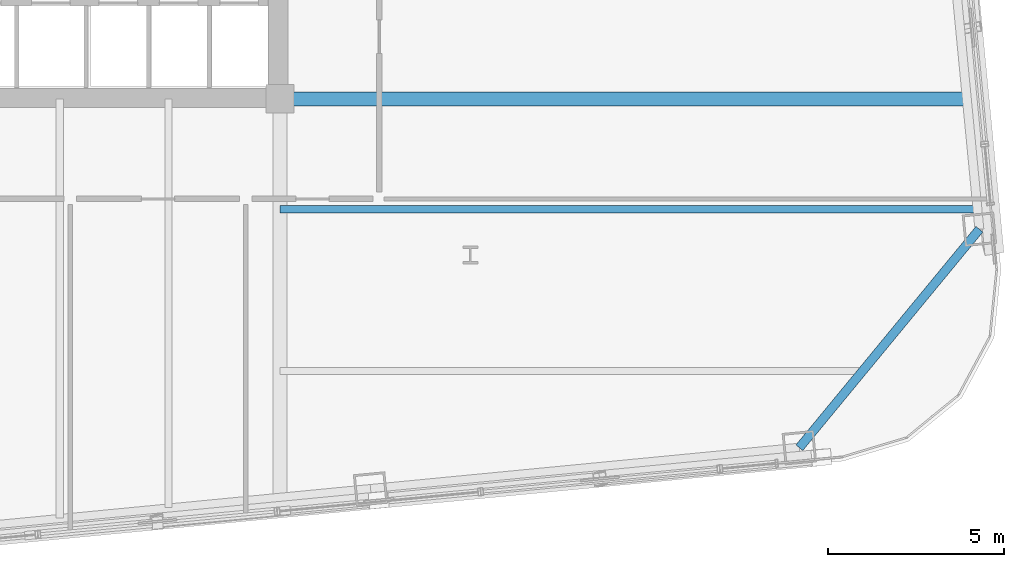
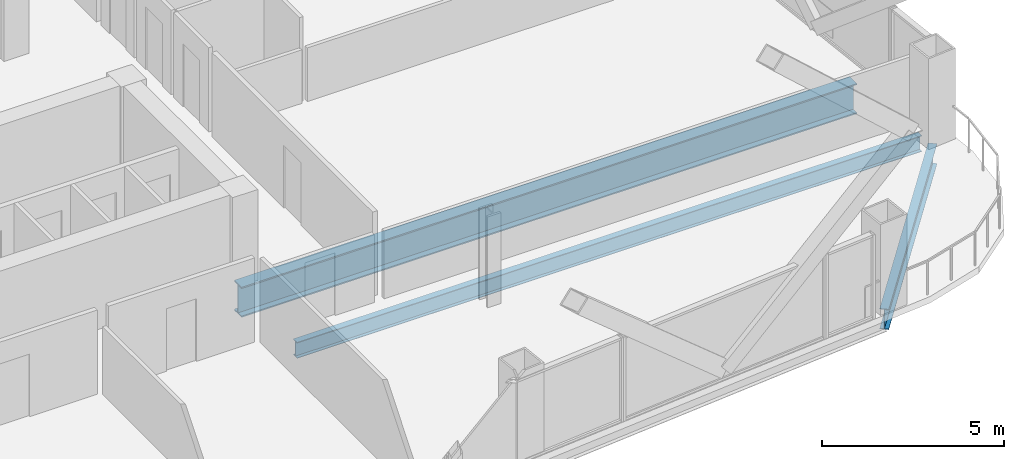
# One storey, part 13 of 32: 3 beams.
"""IFC4 building model written with IfcOpenShell, lengths in metres."""

from ifc_helpers import new_model, si_unit, direction, frame, origin, origin_2d, place, context, subcontext, project, spatial, i_section, extrude, material, material_profile, profile_set, type_object, element, save


model = new_model("IFC4")

# Units and contexts
model_context = context("Model", 3, precision=1e-05, world=origin(), true_north=direction((0.0, 1.0)))
body_context = subcontext(model_context, "Body", "Model", "MODEL_VIEW")
ifc_project = project(units=[si_unit("LENGTHUNIT", "METRE"), si_unit("AREAUNIT", "SQUARE_METRE"), si_unit("VOLUMEUNIT", "CUBIC_METRE"), si_unit("PLANEANGLEUNIT", "RADIAN"), si_unit("MASSUNIT", "GRAM", prefix="KILO")], contexts=[model_context])

# Site, building, storey
site_placement = place(None, origin())
site = spatial("IfcSite", under=ifc_project, at=site_placement, CompositionType="ELEMENT")
building_placement = place(site_placement, origin())
building = spatial("IfcBuilding", under=site, at=building_placement, Name="Qhalaya Broadcast Tower", CompositionType="ELEMENT")
storey_placement = place(building_placement, frame((0.0, 0.0, 81.64990234375)))
storey = spatial("IfcBuildingStorey", under=building, at=storey_placement, Name="L23", CompositionType="ELEMENT", Elevation=81.64990234375)

# Beams
ifc_material = material(Name="Structural Steel ASTM A992 Grade 50", Category="steel")
ifc_material_profile_1 = material_profile(ifc_material, i_section(OverallWidth=0.2099609375, OverallDepth=0.535888671875, WebThickness=0.010986328125, FlangeThickness=0.017333984375, at=origin_2d()), Name="W21X68")
ifc_profile_set_1 = profile_set([ifc_material_profile_1], Name="Structural Steel ASTM A992 Grade 50")
beam_type_1 = type_object("IfcBeamType", Name="Composite Floor Joist J02", PredefinedType="JOIST", material=ifc_profile_set_1)
beam_1_placement = place(storey_placement, frame((9.375, -11.89990234375, -0.48779296875), z_axis=(1.0, 0.0, 0.0), x_axis=(0.0, 1.0, 0.0)))
element("IfcBeam", 1, at=beam_1_placement, inside=storey, type_object=beam_type_1, Name="L23 J02 L23-JWE2E-1", PredefinedType="JOIST", context=body_context, shape_type="SweptSolid", body=[
    extrude(i_section(OverallWidth=0.2099609375, OverallDepth=0.535888671875, WebThickness=0.010986328125, FlangeThickness=0.017333984375, at=origin_2d()), origin(), (0.0, 0.0, 1.0), 19.843017578125),
])
ifc_material_profile_2 = material_profile(ifc_material, i_section(OverallWidth=0.40087890625, OverallDepth=1.010986328125, WebThickness=0.023681640625, FlangeThickness=0.0419921875, at=origin_2d()), Name="W40X297")
ifc_profile_set_2 = profile_set([ifc_material_profile_2], Name="Structural Steel ASTM A992 Grade 50")
beam_type_2 = type_object("IfcBeamType", Name="Lower Block Primary Girder PG2", PredefinedType="USERDEFINED", material=ifc_profile_set_2)
beam_2_placement = place(storey_placement, frame((9.375, -8.75, -0.725341796875), z_axis=(1.0, 0.0, 0.0), x_axis=(0.0, 1.0, 0.0)))
element("IfcBeam", 2, at=beam_2_placement, inside=storey, type_object=beam_type_2, Name="L23 PG2 L23-PGYE1-1", ObjectType="GIRDER", PredefinedType="USERDEFINED", context=body_context, shape_type="SweptSolid", body=[
    extrude(i_section(OverallWidth=0.40087890625, OverallDepth=1.010986328125, WebThickness=0.023681640625, FlangeThickness=0.0419921875, at=origin_2d()), origin(), (0.0, 0.0, 1.0), 19.539794921875),
])
ifc_material_profile_3 = material_profile(ifc_material, i_section(OverallWidth=0.25390625, OverallDepth=0.68310546875, WebThickness=0.012451171875, FlangeThickness=0.01904296875, at=origin_2d()), Name="W27X94")
ifc_profile_set_3 = profile_set([ifc_material_profile_3], Name="Structural Steel ASTM A992 Grade 50")
beam_type_3 = type_object("IfcBeamType", Name="Perimeter Ring Spandrel Beam SP1", PredefinedType="SPANDREL", material=ifc_profile_set_3)
beam_3_placement = place(storey_placement, frame((24.165283203125, -18.685546875, -0.5615234375), z_axis=(0.636052208619, 0.771646025008, 0.0), x_axis=(-0.771646025008, 0.636052208619, 0.0)))
element("IfcBeam", 3, at=beam_3_placement, inside=storey, type_object=beam_type_3, Name="L23 SP1 L23-SPR-04", PredefinedType="SPANDREL", context=body_context, shape_type="SweptSolid", body=[
    extrude(i_section(OverallWidth=0.25390625, OverallDepth=0.68310546875, WebThickness=0.012451171875, FlangeThickness=0.01904296875, at=origin_2d()), origin(), (0.0, 0.0, 1.0), 8.06103515625),
])

save(model, "model.ifc")
